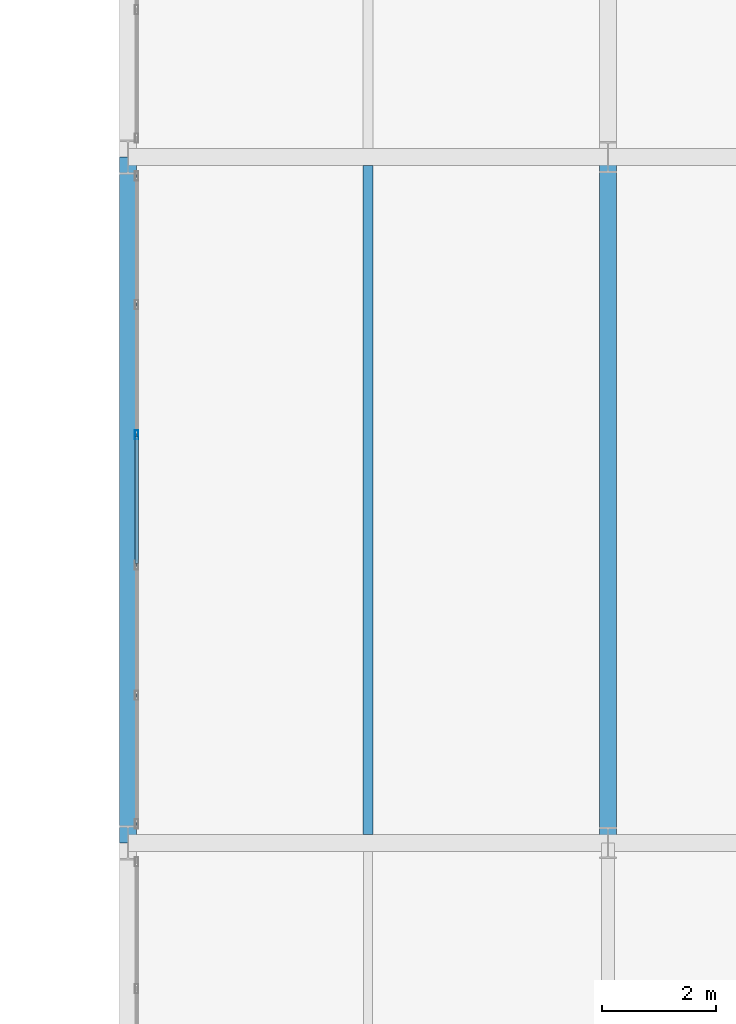
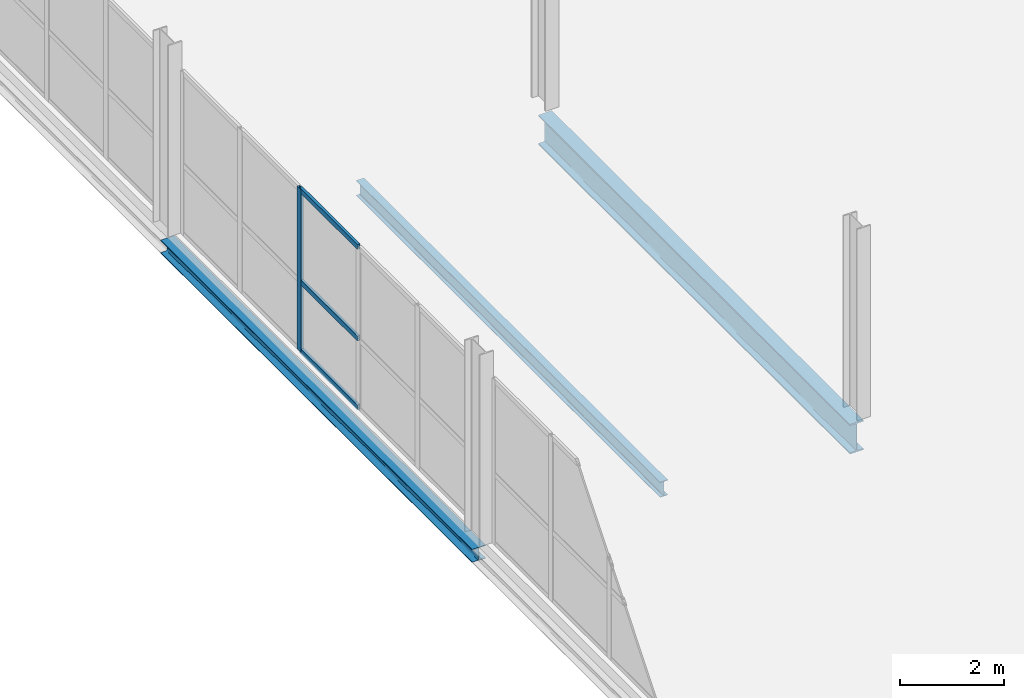
# One storey, part 30 of 109: 4 members, 3 beams, 1 element without a shape of its own.
"""IFC4 building model written with IfcOpenShell, lengths in metres."""

from ifc_helpers import new_model, si_unit, direction, frame, origin, origin_2d, place, context, subcontext, project, spatial, hollow_rectangle, i_section, extrude, material, material_profile, profile_set, type_object, element, aggregate, save


model = new_model("IFC4")

# Units and contexts
model_context = context("Model", 3, precision=1e-05, world=origin(), true_north=direction((0.0, 1.0)))
body_context = subcontext(model_context, "Body", "Model", "MODEL_VIEW")
ifc_project = project(units=[si_unit("LENGTHUNIT", "METRE"), si_unit("AREAUNIT", "SQUARE_METRE"), si_unit("VOLUMEUNIT", "CUBIC_METRE"), si_unit("PLANEANGLEUNIT", "RADIAN"), si_unit("MASSUNIT", "GRAM", prefix="KILO")], contexts=[model_context])

# Site, building, storey
site_placement = place(None, origin())
site = spatial("IfcSite", under=ifc_project, at=site_placement, CompositionType="ELEMENT")
building_placement = place(site_placement, origin())
building = spatial("IfcBuilding", under=site, at=building_placement, Name="Veltarok Museum of Natural Sciences", CompositionType="ELEMENT")
storey_placement = place(building_placement, frame((0.0, 0.0, 17.39990234375)))
storey = spatial("IfcBuildingStorey", under=building, at=storey_placement, Name="L03", CompositionType="ELEMENT", Elevation=17.39990234375)

# Curtain wall, members
ifc_material_1 = material(Name="Low-iron triple insulated glass", Category="glass")
curtain_wall_type = type_object("IfcCurtainWallType", Name="Curtain Wall System CW-V2W-L03-1-1140x383 (CW-V2W L03 1140x383cm)", PredefinedType="NOTDEFINED", material=ifc_material_1)
curtain_wall_placement = place(storey_placement, origin())
curtain_wall = element("IfcCurtainWall", 1, at=curtain_wall_placement, inside=storey, type_object=curtain_wall_type, Name="Curtain Wall CW-V2W-L03-1-1140x383 CW-0145", PredefinedType="NOTDEFINED")
ifc_material_2 = material(Name="Thermally broken anodised aluminium", Category="aluminium")
ifc_material_profile_1 = material_profile(ifc_material_2, hollow_rectangle(XDim=0.06005859375, YDim=0.1201171875, WallThickness=0.0048828125, at=origin_2d()), Name="CW TRANSOM 60x120x5")
ifc_profile_set_1 = profile_set([ifc_material_profile_1], Name="Thermally broken anodised aluminium")
member_type_1 = type_object("IfcMemberType", Name="Curtain Wall Horizontal Transom 60x120x5", PredefinedType="USERDEFINED", material=ifc_profile_set_1)
member_1_placement = place(storey_placement, frame((40.14990234375, 40.889892578125, 0.028076171875), z_axis=(0.0, 1.0, 0.0), x_axis=(-1.0, 0.0, 0.0)))
member_1 = element("IfcMember", 2, at=member_1_placement, type_object=member_type_1, Name="CW-V2W-L03-1-1140x383 transom 3.1", ObjectType="TRANSOM", PredefinedType="USERDEFINED", context=body_context, shape_type="SweptSolid", body=[
    extrude(hollow_rectangle(XDim=0.06005859375, YDim=0.1201171875, WallThickness=0.0048828125, at=origin_2d()), origin(), (0.0, 0.0, 1.0), 2.22021484375),
])
member_2_placement = place(storey_placement, frame((40.14990234375, 40.889892578125, 1.648193359375), z_axis=(0.0, 1.0, 0.0), x_axis=(-1.0, 0.0, 0.0)))
member_2 = element("IfcMember", 3, at=member_2_placement, type_object=member_type_1, Name="CW-V2W-L03-1-1140x383 transom 3.2", ObjectType="TRANSOM", PredefinedType="USERDEFINED", context=body_context, shape_type="SweptSolid", body=[
    extrude(hollow_rectangle(XDim=0.06005859375, YDim=0.1201171875, WallThickness=0.0048828125, at=origin_2d()), origin(), (0.0, 0.0, 1.0), 2.22021484375),
])
member_3_placement = place(storey_placement, frame((40.14990234375, 40.889892578125, 3.800048828125), z_axis=(0.0, 1.0, 0.0), x_axis=(-1.0, 0.0, 0.0)))
member_3 = element("IfcMember", 4, at=member_3_placement, type_object=member_type_1, Name="CW-V2W-L03-1-1140x383 transom 3.3", ObjectType="TRANSOM", PredefinedType="USERDEFINED", context=body_context, shape_type="SweptSolid", body=[
    extrude(hollow_rectangle(XDim=0.06005859375, YDim=0.1201171875, WallThickness=0.0048828125, at=origin_2d()), origin(), (0.0, 0.0, 1.0), 2.22021484375),
])
ifc_material_profile_2 = material_profile(ifc_material_2, hollow_rectangle(XDim=0.06005859375, YDim=0.159912109375, WallThickness=0.0048828125, at=origin_2d()), Name="CW MULLION 60x160x5")
ifc_profile_set_2 = profile_set([ifc_material_profile_2], Name="Thermally broken anodised aluminium")
member_type_2 = type_object("IfcMemberType", Name="Curtain Wall Vertical Mullion 60x160x5", PredefinedType="MULLION", material=ifc_profile_set_2)
member_4_placement = place(storey_placement, frame((40.14990234375, 43.139892578125, -0.001953125), z_axis=(0.0, 0.0, 1.0), x_axis=(-1.0, 0.0, 0.0)))
member_4 = element("IfcMember", 5, at=member_4_placement, type_object=member_type_2, Name="CW-V2W-L03-1-1140x383 mullion 4", PredefinedType="MULLION", context=body_context, shape_type="SweptSolid", body=[
    extrude(hollow_rectangle(XDim=0.06005859375, YDim=0.159912109375, WallThickness=0.0048828125, at=origin_2d()), origin(), (0.0, 0.0, 1.0), 3.83203125),
])
aggregate(curtain_wall, [member_4, member_1, member_2, member_3])

# Beams
ifc_material_3 = material(Name="Steel S355J2", Category="steel")
ifc_material_profile_3 = material_profile(ifc_material_3, i_section(OverallWidth=0.169921875, OverallDepth=0.360107421875, WebThickness=0.008056640625, FlangeThickness=0.0126953125, FilletRadius=0.01806640625, at=origin_2d()), Name="IPE 360")
ifc_profile_set_3 = profile_set([ifc_material_profile_3], Name="Steel S355J2")
beam_type_1 = type_object("IfcBeamType", Name="Long-Bay Composite Joist IPE 360", PredefinedType="JOIST", material=ifc_profile_set_3)
beam_1_placement = place(storey_placement, frame((44.199951171875, 36.14794921875, -0.429931640625), z_axis=(0.0, 1.0, 0.0), x_axis=(-1.0, 0.0, 0.0)))
element("IfcBeam", 6, at=beam_1_placement, inside=storey, type_object=beam_type_1, Name="Secondary Joist BM-J01 L03 5-6/E-F.1", PredefinedType="JOIST", context=body_context, shape_type="SweptSolid", body=[
    extrude(i_section(OverallWidth=0.169921875, OverallDepth=0.360107421875, WebThickness=0.008056640625, FlangeThickness=0.0126953125, FilletRadius=0.01806640625, at=origin_2d()), origin(), (0.0, 0.0, 1.0), 11.7041015625),
])
ifc_material_profile_4 = material_profile(ifc_material_3, i_section(OverallWidth=0.300048828125, OverallDepth=0.699951171875, WebThickness=0.01708984375, FlangeThickness=0.031982421875, FilletRadius=0.027099609375, at=origin_2d()), Name="HEB 700")
ifc_profile_set_4 = profile_set([ifc_material_profile_4], Name="Steel S355J2")
beam_type_2 = type_object("IfcBeamType", Name="Long-Span Hall Girder HEB 700", PredefinedType="BEAM", material=ifc_profile_set_4)
beam_2_placement = place(storey_placement, frame((48.39990234375, 36.0, -0.599853515625), z_axis=(0.0, 1.0, 0.0), x_axis=(-1.0, 0.0, 0.0)))
element("IfcBeam", 7, at=beam_2_placement, inside=storey, type_object=beam_type_2, Name="Beam BM-G01 L03 6/E-F", PredefinedType="BEAM", context=body_context, shape_type="SweptSolid", body=[
    extrude(i_section(OverallWidth=0.300048828125, OverallDepth=0.699951171875, WebThickness=0.01708984375, FlangeThickness=0.031982421875, FilletRadius=0.027099609375, at=origin_2d()), origin(), (0.0, 0.0, 1.0), 12.0),
])
ifc_material_profile_5 = material_profile(ifc_material_3, i_section(OverallWidth=0.300048828125, OverallDepth=0.31005859375, WebThickness=0.009033203125, FlangeThickness=0.015380859375, FilletRadius=0.027099609375, at=origin_2d()), Name="HEA 320")
ifc_profile_set_5 = profile_set([ifc_material_profile_5], Name="Steel S355J2")
beam_type_3 = type_object("IfcBeamType", Name="Perimeter Edge Spandrel HEA 320", PredefinedType="SPANDREL", material=ifc_profile_set_5)
beam_3_placement = place(storey_placement, frame((40.0, 36.0, -0.40478515625), z_axis=(0.0, 1.0, 0.0), x_axis=(-1.0, 0.0, 0.0)))
element("IfcBeam", 8, at=beam_3_placement, inside=storey, type_object=beam_type_3, Name="Beam BM-SP04 L03 5/E-F", PredefinedType="SPANDREL", context=body_context, shape_type="SweptSolid", body=[
    extrude(i_section(OverallWidth=0.300048828125, OverallDepth=0.31005859375, WebThickness=0.009033203125, FlangeThickness=0.015380859375, FilletRadius=0.027099609375, at=origin_2d()), origin(), (0.0, 0.0, 1.0), 12.0),
])

save(model, "model.ifc")
